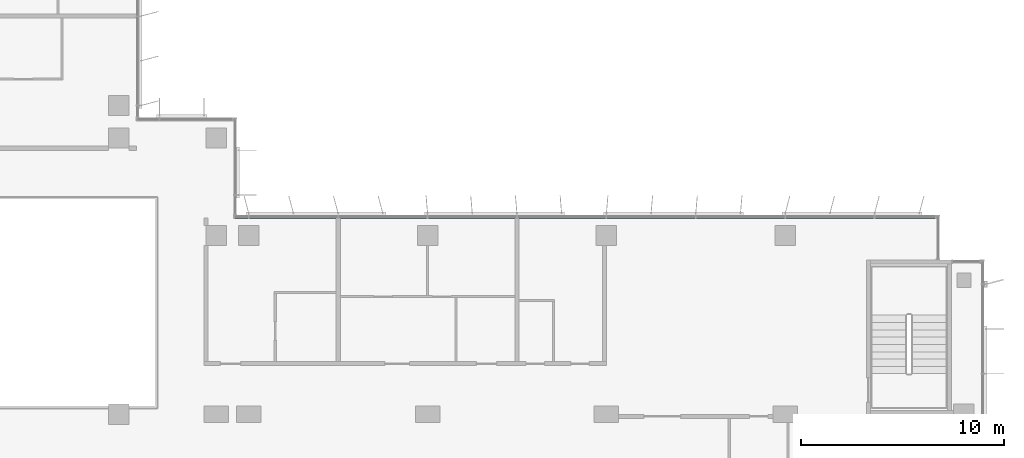
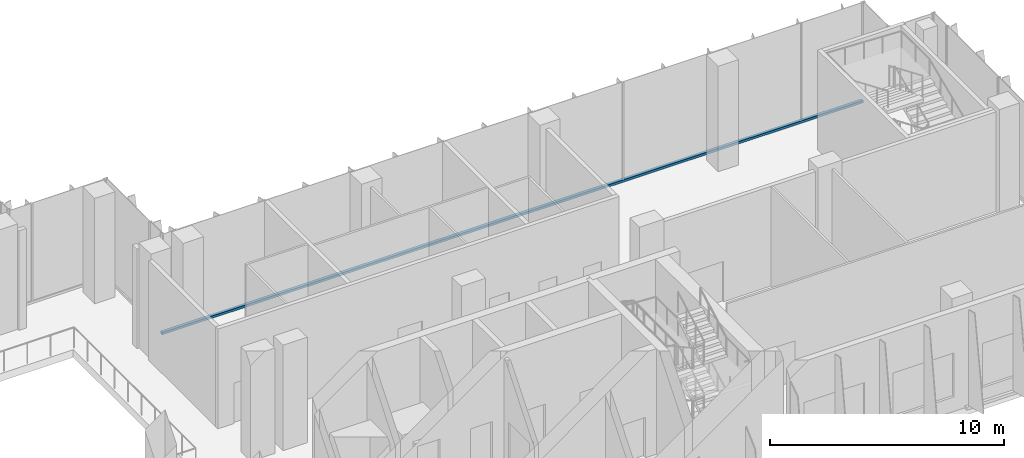
# One storey, part 3 of 24: 1 member, 1 element without a shape of its own.
"""IFC4 building model written with IfcOpenShell, lengths in metres."""

from ifc_helpers import new_model, si_unit, direction, frame, origin, origin_2d, place, context, subcontext, project, spatial, rectangle, extrude, material, material_profile, profile_set, type_object, element, aggregate, save


model = new_model("IFC4")

# Units and contexts
model_context = context("Model", 3, precision=1e-05, world=origin(), true_north=direction((0.0, 1.0)))
body_context = subcontext(model_context, "Body", "Model", "MODEL_VIEW")
ifc_project = project(units=[si_unit("LENGTHUNIT", "METRE"), si_unit("AREAUNIT", "SQUARE_METRE"), si_unit("VOLUMEUNIT", "CUBIC_METRE"), si_unit("PLANEANGLEUNIT", "RADIAN"), si_unit("MASSUNIT", "GRAM", prefix="KILO")], contexts=[model_context])

# Site, building, storey
site_placement = place(None, origin())
site = spatial("IfcSite", under=ifc_project, at=site_placement, CompositionType="ELEMENT")
building_placement = place(site_placement, origin())
building = spatial("IfcBuilding", under=site, at=building_placement, Name="Kemantara Hotel Tower", CompositionType="ELEMENT")
storey_placement = place(building_placement, frame((0.0, 0.0, 202.5)))
storey = spatial("IfcBuildingStorey", under=building, at=storey_placement, Name="L50", CompositionType="ELEMENT", Elevation=202.5)

# Curtain wall, member
ifc_material_1 = material(Name="Low-E tinted double insulated glass 36 mm", Category="glass")
curtain_wall_type = type_object("IfcCurtainWallType", Name="TOWER CURTAIN WALL, FRONT FACES", PredefinedType="USERDEFINED", material=ifc_material_1)
curtain_wall_placement = place(storey_placement, origin())
curtain_wall = element("IfcCurtainWall", 1, at=curtain_wall_placement, inside=storey, type_object=curtain_wall_type, Name="CW4 L50 T3S-R15-1", ObjectType="TOWER CURTAIN WALL, FRONT FACES", PredefinedType="USERDEFINED")
ifc_material_2 = material(Name="Aluminium 6063-T6 bronze anodised", Category="aluminium")
ifc_material_profile = material_profile(ifc_material_2, rectangle(XDim=0.14990234375, YDim=0.1201171875, at=origin_2d()), Name="TOWER CURTAIN WALL, FRONT FACES TRANSOM")
ifc_profile_set = profile_set([ifc_material_profile], Name="Aluminium 6063-T6 bronze anodised")
member_type = type_object("IfcMemberType", Name="TOWER CURTAIN WALL, FRONT FACES TRANSOM", PredefinedType="USERDEFINED", material=ifc_profile_set)
member_placement = place(storey_placement, frame((61.25, 21.925048828125, 0.06005859375), z_axis=(-1.0, 0.0, 0.0), x_axis=(0.0, -1.0, 0.0)))
member = element("IfcMember", 2, at=member_placement, type_object=member_type, Name="CW4 sill transom T3S-R15-1", ObjectType="TRANSOM", PredefinedType="USERDEFINED", context=body_context, shape_type="SweptSolid", body=[
    extrude(rectangle(XDim=0.14990234375, YDim=0.1201171875, at=origin_2d()), origin(), (0.0, 0.0, 1.0), 34.60009765625),
])
aggregate(curtain_wall, [member])

save(model, "model.ifc")
